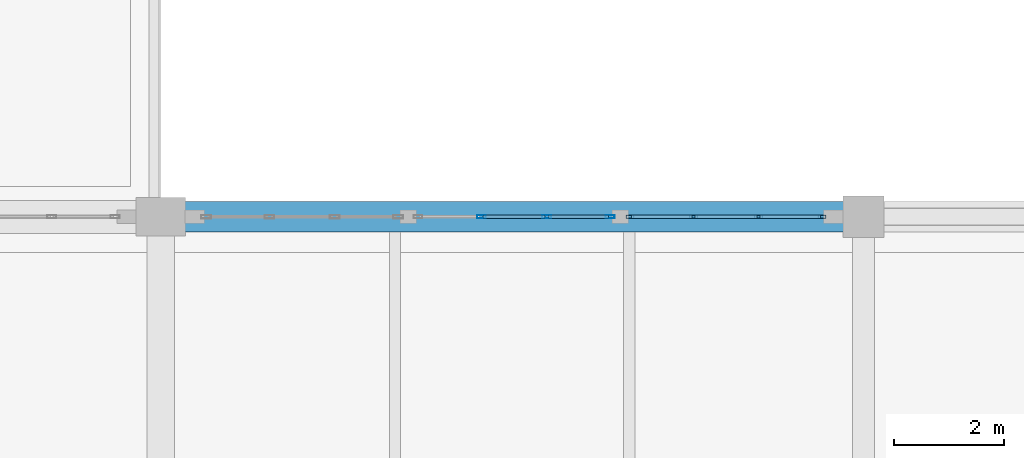
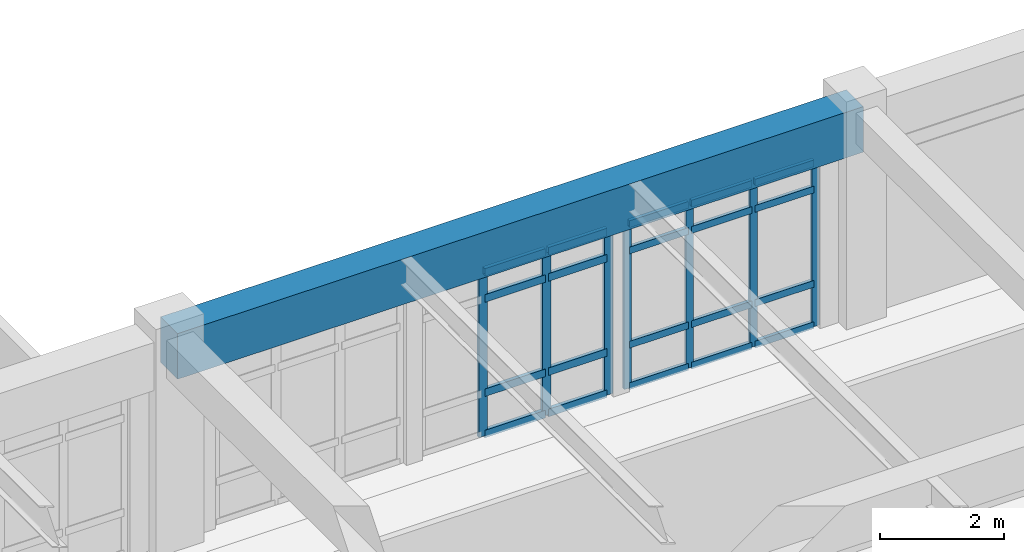
# One storey, part 62 of 109: 27 members, 1 beam, 2 elements without a shape of their own.
"""IFC4 building model written with IfcOpenShell, lengths in metres."""

from ifc_helpers import new_model, si_unit, direction, frame, origin, origin_2d, place, context, subcontext, project, spatial, rectangle, hollow_rectangle, extrude, material, layer, layer_set, material_profile, profile_set, type_object, element, aggregate, save


model = new_model("IFC4")

# Units and contexts
model_context = context("Model", 3, precision=1e-05, world=origin(), true_north=direction((0.0, 1.0)))
body_context = subcontext(model_context, "Body", "Model", "MODEL_VIEW")
ifc_project = project(units=[si_unit("LENGTHUNIT", "METRE"), si_unit("AREAUNIT", "SQUARE_METRE"), si_unit("VOLUMEUNIT", "CUBIC_METRE"), si_unit("PLANEANGLEUNIT", "RADIAN"), si_unit("MASSUNIT", "GRAM", prefix="KILO")], contexts=[model_context])

# Site, building, storey
site_placement = place(None, origin())
site = spatial("IfcSite", under=ifc_project, at=site_placement, CompositionType="ELEMENT")
building_placement = place(site_placement, origin())
building = spatial("IfcBuilding", under=site, at=building_placement, Name="Fikremerkos Civic Library", CompositionType="ELEMENT")
storey_placement = place(building_placement, frame((0.0, 0.0, 5.39990234375)))
storey = spatial("IfcBuildingStorey", under=building, at=storey_placement, Name="L01", CompositionType="ELEMENT", Elevation=5.39990234375)

# Curtain wall, members
ifc_material_1 = material(Name="Anodized aluminium Frame", Category="aluminium")
ifc_layer_1 = layer(ifc_material_1, 0.159912109375, Name="Anodized aluminium Frame")
ifc_layer_set_1 = layer_set([ifc_layer_1], Name="Anodized aluminium Frame")
curtain_wall_type_1 = type_object("IfcCurtainWallType", Name="Unitised curtain wall CW-02 3900x3600", PredefinedType="USERDEFINED", material=ifc_layer_set_1)
curtain_wall_1_placement = place(storey_placement, origin())
curtain_wall_1 = element("IfcCurtainWall", 1, at=curtain_wall_1_placement, inside=storey, type_object=curtain_wall_type_1, Name="Unitised curtain wall CW-02 L01 #110", ObjectType="UNITISED CURTAIN WALL", PredefinedType="USERDEFINED")
ifc_material_profile_1 = material_profile(ifc_material_1, hollow_rectangle(XDim=0.06005859375, YDim=0.159912109375, WallThickness=0.00390625, at=origin_2d()), Name="ALU 160x60x4")
ifc_profile_set_1 = profile_set([ifc_material_profile_1], Name="Anodized aluminium Frame")
member_type_1 = type_object("IfcMemberType", Name="Curtain mullion CWM-02 ALU 160x60x4", PredefinedType="MULLION", material=ifc_profile_set_1)
member_1_placement = place(storey_placement, frame((153.044189453125, 40.800048828125, 0.0), z_axis=(0.0, 0.0, 1.0), x_axis=(0.0, 1.0, 0.0)))
member_1 = element("IfcMember", 2, at=member_1_placement, type_object=member_type_1, Name="CW-02 mullion 2", PredefinedType="MULLION", context=body_context, shape_type="SweptSolid", body=[
    extrude(hollow_rectangle(XDim=0.06005859375, YDim=0.159912109375, WallThickness=0.00390625, at=origin_2d()), origin(), (0.0, 0.0, 1.0), 3.260009765625),
])
member_2_placement = place(storey_placement, frame((154.230712890625, 40.800048828125, 0.0), z_axis=(0.0, 0.0, 1.0), x_axis=(0.0, 1.0, 0.0)))
member_2 = element("IfcMember", 3, at=member_2_placement, type_object=member_type_1, Name="CW-02 mullion 3", PredefinedType="MULLION", context=body_context, shape_type="SweptSolid", body=[
    extrude(hollow_rectangle(XDim=0.06005859375, YDim=0.159912109375, WallThickness=0.00390625, at=origin_2d()), origin(), (0.0, 0.0, 1.0), 3.260009765625),
])
member_3_placement = place(storey_placement, frame((155.387451171875, 40.800048828125, 0.0), z_axis=(0.0, 0.0, 1.0), x_axis=(0.0, 1.0, 0.0)))
member_3 = element("IfcMember", 4, at=member_3_placement, type_object=member_type_1, Name="CW-02 mullion 4", PredefinedType="MULLION", context=body_context, shape_type="SweptSolid", body=[
    extrude(hollow_rectangle(XDim=0.06005859375, YDim=0.159912109375, WallThickness=0.00390625, at=origin_2d()), origin(), (0.0, 0.0, 1.0), 3.260009765625),
])

ifc_layer_2 = layer(ifc_material_1, 0.159912109375, Name="Anodized aluminium Frame")
ifc_layer_set_2 = layer_set([ifc_layer_2], Name="Anodized aluminium Frame")
curtain_wall_type_2 = type_object("IfcCurtainWallType", Name="Unitised curtain wall CW-03 4100x3600", PredefinedType="USERDEFINED", material=ifc_layer_set_2)
curtain_wall_2_placement = place(storey_placement, origin())
curtain_wall_2 = element("IfcCurtainWall", 5, at=curtain_wall_2_placement, inside=storey, type_object=curtain_wall_type_2, Name="Unitised curtain wall CW-03 L01 #111", ObjectType="UNITISED CURTAIN WALL", PredefinedType="USERDEFINED")
ifc_material_profile_2 = material_profile(ifc_material_1, hollow_rectangle(XDim=0.06005859375, YDim=0.139892578125, WallThickness=0.00390625, at=origin_2d()), Name="ALU 140x60x4")
ifc_profile_set_2 = profile_set([ifc_material_profile_2], Name="Anodized aluminium Frame")
member_type_2 = type_object("IfcMemberType", Name="Curtain mullion CWM-03 ALU 140x60x4", PredefinedType="MULLION", material=ifc_profile_set_2)
member_4_placement = place(storey_placement, frame((155.747314453125, 40.800048828125, 0.0), z_axis=(0.0, 0.0, 1.0), x_axis=(0.0, 1.0, 0.0)))
member_4 = element("IfcMember", 6, at=member_4_placement, type_object=member_type_2, Name="CW-03 mullion 1", PredefinedType="MULLION", context=body_context, shape_type="SweptSolid", body=[
    extrude(hollow_rectangle(XDim=0.06005859375, YDim=0.139892578125, WallThickness=0.00390625, at=origin_2d()), origin(), (0.0, 0.0, 1.0), 3.260009765625),
])
member_5_placement = place(storey_placement, frame((156.90380859375, 40.800048828125, 0.0), z_axis=(0.0, 0.0, 1.0), x_axis=(0.0, 1.0, 0.0)))
member_5 = element("IfcMember", 7, at=member_5_placement, type_object=member_type_2, Name="CW-03 mullion 2", PredefinedType="MULLION", context=body_context, shape_type="SweptSolid", body=[
    extrude(hollow_rectangle(XDim=0.06005859375, YDim=0.139892578125, WallThickness=0.00390625, at=origin_2d()), origin(), (0.0, 0.0, 1.0), 3.260009765625),
])
member_6_placement = place(storey_placement, frame((158.09033203125, 40.800048828125, 0.0), z_axis=(0.0, 0.0, 1.0), x_axis=(0.0, 1.0, 0.0)))
member_6 = element("IfcMember", 8, at=member_6_placement, type_object=member_type_2, Name="CW-03 mullion 3", PredefinedType="MULLION", context=body_context, shape_type="SweptSolid", body=[
    extrude(hollow_rectangle(XDim=0.06005859375, YDim=0.139892578125, WallThickness=0.00390625, at=origin_2d()), origin(), (0.0, 0.0, 1.0), 3.260009765625),
])
member_7_placement = place(storey_placement, frame((159.2470703125, 40.800048828125, 0.0), z_axis=(0.0, 0.0, 1.0), x_axis=(0.0, 1.0, 0.0)))
member_7 = element("IfcMember", 9, at=member_7_placement, type_object=member_type_2, Name="CW-03 mullion 4", PredefinedType="MULLION", context=body_context, shape_type="SweptSolid", body=[
    extrude(hollow_rectangle(XDim=0.06005859375, YDim=0.139892578125, WallThickness=0.00390625, at=origin_2d()), origin(), (0.0, 0.0, 1.0), 3.260009765625),
])

# Member
ifc_material_profile_3 = material_profile(ifc_material_1, hollow_rectangle(XDim=0.070068359375, YDim=0.14990234375, WallThickness=0.00439453125, at=origin_2d()), Name="ALU 150x70x4.5")
ifc_profile_set_3 = profile_set([ifc_material_profile_3], Name="Anodized aluminium Frame")
member_type_3 = type_object("IfcMemberType", Name="Curtain transom CWT-01 ALU 150x70x4.5", PredefinedType="USERDEFINED", material=ifc_profile_set_3)
member_8_placement = place(storey_placement, frame((153.07421875, 40.800048828125, 0.03515625), z_axis=(1.0, 0.0, 0.0), x_axis=(0.0, 1.0, 0.0)))
member_8 = element("IfcMember", 10, at=member_8_placement, type_object=member_type_3, Name="CW-02 transom 2.1", ObjectType="TRANSOM", PredefinedType="USERDEFINED", context=body_context, shape_type="SweptSolid", body=[
    extrude(hollow_rectangle(XDim=0.070068359375, YDim=0.14990234375, WallThickness=0.00439453125, at=origin_2d()), origin(), (0.0, 0.0, 1.0), 1.12646484375),
])

member_9_placement = place(storey_placement, frame((153.07421875, 40.800048828125, 0.85009765625), z_axis=(1.0, 0.0, 0.0), x_axis=(0.0, 1.0, 0.0)))
member_9 = element("IfcMember", 11, at=member_9_placement, type_object=member_type_3, Name="CW-02 transom 2.2", ObjectType="TRANSOM", PredefinedType="USERDEFINED", context=body_context, shape_type="SweptSolid", body=[
    extrude(hollow_rectangle(XDim=0.070068359375, YDim=0.14990234375, WallThickness=0.00439453125, at=origin_2d()), origin(), (0.0, 0.0, 1.0), 1.12646484375),
])

member_10_placement = place(storey_placement, frame((153.07421875, 40.800048828125, 2.710205078125), z_axis=(1.0, 0.0, 0.0), x_axis=(0.0, 1.0, 0.0)))
member_10 = element("IfcMember", 12, at=member_10_placement, type_object=member_type_3, Name="CW-02 transom 2.3", ObjectType="TRANSOM", PredefinedType="USERDEFINED", context=body_context, shape_type="SweptSolid", body=[
    extrude(hollow_rectangle(XDim=0.070068359375, YDim=0.14990234375, WallThickness=0.00439453125, at=origin_2d()), origin(), (0.0, 0.0, 1.0), 1.12646484375),
])

member_11_placement = place(storey_placement, frame((153.07421875, 40.800048828125, 3.22509765625), z_axis=(1.0, 0.0, 0.0), x_axis=(0.0, 1.0, 0.0)))
member_11 = element("IfcMember", 13, at=member_11_placement, type_object=member_type_3, Name="CW-02 transom 2.4", ObjectType="TRANSOM", PredefinedType="USERDEFINED", context=body_context, shape_type="SweptSolid", body=[
    extrude(hollow_rectangle(XDim=0.070068359375, YDim=0.14990234375, WallThickness=0.00439453125, at=origin_2d()), origin(), (0.0, 0.0, 1.0), 1.12646484375),
])

member_12_placement = place(storey_placement, frame((154.2607421875, 40.800048828125, 0.03515625), z_axis=(1.0, 0.0, 0.0), x_axis=(0.0, 1.0, 0.0)))
member_12 = element("IfcMember", 14, at=member_12_placement, type_object=member_type_3, Name="CW-02 transom 3.1", ObjectType="TRANSOM", PredefinedType="USERDEFINED", context=body_context, shape_type="SweptSolid", body=[
    extrude(hollow_rectangle(XDim=0.070068359375, YDim=0.14990234375, WallThickness=0.00439453125, at=origin_2d()), origin(), (0.0, 0.0, 1.0), 1.0966796875),
])

member_13_placement = place(storey_placement, frame((154.2607421875, 40.800048828125, 0.85009765625), z_axis=(1.0, 0.0, 0.0), x_axis=(0.0, 1.0, 0.0)))
member_13 = element("IfcMember", 15, at=member_13_placement, type_object=member_type_3, Name="CW-02 transom 3.2", ObjectType="TRANSOM", PredefinedType="USERDEFINED", context=body_context, shape_type="SweptSolid", body=[
    extrude(hollow_rectangle(XDim=0.070068359375, YDim=0.14990234375, WallThickness=0.00439453125, at=origin_2d()), origin(), (0.0, 0.0, 1.0), 1.0966796875),
])

member_14_placement = place(storey_placement, frame((154.2607421875, 40.800048828125, 2.710205078125), z_axis=(1.0, 0.0, 0.0), x_axis=(0.0, 1.0, 0.0)))
member_14 = element("IfcMember", 16, at=member_14_placement, type_object=member_type_3, Name="CW-02 transom 3.3", ObjectType="TRANSOM", PredefinedType="USERDEFINED", context=body_context, shape_type="SweptSolid", body=[
    extrude(hollow_rectangle(XDim=0.070068359375, YDim=0.14990234375, WallThickness=0.00439453125, at=origin_2d()), origin(), (0.0, 0.0, 1.0), 1.0966796875),
])

member_15_placement = place(storey_placement, frame((154.2607421875, 40.800048828125, 3.22509765625), z_axis=(1.0, 0.0, 0.0), x_axis=(0.0, 1.0, 0.0)))
member_15 = element("IfcMember", 17, at=member_15_placement, type_object=member_type_3, Name="CW-02 transom 3.4", ObjectType="TRANSOM", PredefinedType="USERDEFINED", context=body_context, shape_type="SweptSolid", body=[
    extrude(hollow_rectangle(XDim=0.070068359375, YDim=0.14990234375, WallThickness=0.00439453125, at=origin_2d()), origin(), (0.0, 0.0, 1.0), 1.0966796875),
])

aggregate(curtain_wall_1, [member_1, member_2, member_3, member_8, member_9, member_10, member_11, member_12, member_13, member_14, member_15])

ifc_material_profile_4 = material_profile(ifc_material_1, hollow_rectangle(XDim=0.06494140625, YDim=0.135009765625, WallThickness=0.00439453125, at=origin_2d()), Name="ALU 135x65x4.5")
ifc_profile_set_4 = profile_set([ifc_material_profile_4], Name="Anodized aluminium Frame")
member_type_4 = type_object("IfcMemberType", Name="Curtain transom CWT-02 ALU 135x65x4.5", PredefinedType="USERDEFINED", material=ifc_profile_set_4)
member_16_placement = place(storey_placement, frame((155.77734375, 40.800048828125, 0.03271484375), z_axis=(1.0, 0.0, 0.0), x_axis=(0.0, 1.0, 0.0)))
member_16 = element("IfcMember", 18, at=member_16_placement, type_object=member_type_4, Name="CW-03 transom 1.1", ObjectType="TRANSOM", PredefinedType="USERDEFINED", context=body_context, shape_type="SweptSolid", body=[
    extrude(hollow_rectangle(XDim=0.06494140625, YDim=0.135009765625, WallThickness=0.00439453125, at=origin_2d()), origin(), (0.0, 0.0, 1.0), 1.096435546875),
])

member_17_placement = place(storey_placement, frame((155.77734375, 40.800048828125, 0.85009765625), z_axis=(1.0, 0.0, 0.0), x_axis=(0.0, 1.0, 0.0)))
member_17 = element("IfcMember", 19, at=member_17_placement, type_object=member_type_4, Name="CW-03 transom 1.2", ObjectType="TRANSOM", PredefinedType="USERDEFINED", context=body_context, shape_type="SweptSolid", body=[
    extrude(hollow_rectangle(XDim=0.06494140625, YDim=0.135009765625, WallThickness=0.00439453125, at=origin_2d()), origin(), (0.0, 0.0, 1.0), 1.096435546875),
])

member_18_placement = place(storey_placement, frame((155.77734375, 40.800048828125, 2.710205078125), z_axis=(1.0, 0.0, 0.0), x_axis=(0.0, 1.0, 0.0)))
member_18 = element("IfcMember", 20, at=member_18_placement, type_object=member_type_4, Name="CW-03 transom 1.3", ObjectType="TRANSOM", PredefinedType="USERDEFINED", context=body_context, shape_type="SweptSolid", body=[
    extrude(hollow_rectangle(XDim=0.06494140625, YDim=0.135009765625, WallThickness=0.00439453125, at=origin_2d()), origin(), (0.0, 0.0, 1.0), 1.096435546875),
])

member_19_placement = place(storey_placement, frame((155.77734375, 40.800048828125, 3.2275390625), z_axis=(1.0, 0.0, 0.0), x_axis=(0.0, 1.0, 0.0)))
member_19 = element("IfcMember", 21, at=member_19_placement, type_object=member_type_4, Name="CW-03 transom 1.4", ObjectType="TRANSOM", PredefinedType="USERDEFINED", context=body_context, shape_type="SweptSolid", body=[
    extrude(hollow_rectangle(XDim=0.06494140625, YDim=0.135009765625, WallThickness=0.00439453125, at=origin_2d()), origin(), (0.0, 0.0, 1.0), 1.096435546875),
])

member_20_placement = place(storey_placement, frame((156.933837890625, 40.800048828125, 0.03271484375), z_axis=(1.0, 0.0, 0.0), x_axis=(0.0, 1.0, 0.0)))
member_20 = element("IfcMember", 22, at=member_20_placement, type_object=member_type_4, Name="CW-03 transom 2.1", ObjectType="TRANSOM", PredefinedType="USERDEFINED", context=body_context, shape_type="SweptSolid", body=[
    extrude(hollow_rectangle(XDim=0.06494140625, YDim=0.135009765625, WallThickness=0.00439453125, at=origin_2d()), origin(), (0.0, 0.0, 1.0), 1.126708984375),
])

member_21_placement = place(storey_placement, frame((156.933837890625, 40.800048828125, 0.85009765625), z_axis=(1.0, 0.0, 0.0), x_axis=(0.0, 1.0, 0.0)))
member_21 = element("IfcMember", 23, at=member_21_placement, type_object=member_type_4, Name="CW-03 transom 2.2", ObjectType="TRANSOM", PredefinedType="USERDEFINED", context=body_context, shape_type="SweptSolid", body=[
    extrude(hollow_rectangle(XDim=0.06494140625, YDim=0.135009765625, WallThickness=0.00439453125, at=origin_2d()), origin(), (0.0, 0.0, 1.0), 1.126708984375),
])

member_22_placement = place(storey_placement, frame((156.933837890625, 40.800048828125, 2.710205078125), z_axis=(1.0, 0.0, 0.0), x_axis=(0.0, 1.0, 0.0)))
member_22 = element("IfcMember", 24, at=member_22_placement, type_object=member_type_4, Name="CW-03 transom 2.3", ObjectType="TRANSOM", PredefinedType="USERDEFINED", context=body_context, shape_type="SweptSolid", body=[
    extrude(hollow_rectangle(XDim=0.06494140625, YDim=0.135009765625, WallThickness=0.00439453125, at=origin_2d()), origin(), (0.0, 0.0, 1.0), 1.126708984375),
])

member_23_placement = place(storey_placement, frame((156.933837890625, 40.800048828125, 3.2275390625), z_axis=(1.0, 0.0, 0.0), x_axis=(0.0, 1.0, 0.0)))
member_23 = element("IfcMember", 25, at=member_23_placement, type_object=member_type_4, Name="CW-03 transom 2.4", ObjectType="TRANSOM", PredefinedType="USERDEFINED", context=body_context, shape_type="SweptSolid", body=[
    extrude(hollow_rectangle(XDim=0.06494140625, YDim=0.135009765625, WallThickness=0.00439453125, at=origin_2d()), origin(), (0.0, 0.0, 1.0), 1.126708984375),
])

member_24_placement = place(storey_placement, frame((158.120361328125, 40.800048828125, 0.03271484375), z_axis=(1.0, 0.0, 0.0), x_axis=(0.0, 1.0, 0.0)))
member_24 = element("IfcMember", 26, at=member_24_placement, type_object=member_type_4, Name="CW-03 transom 3.1", ObjectType="TRANSOM", PredefinedType="USERDEFINED", context=body_context, shape_type="SweptSolid", body=[
    extrude(hollow_rectangle(XDim=0.06494140625, YDim=0.135009765625, WallThickness=0.00439453125, at=origin_2d()), origin(), (0.0, 0.0, 1.0), 1.0966796875),
])

member_25_placement = place(storey_placement, frame((158.120361328125, 40.800048828125, 0.85009765625), z_axis=(1.0, 0.0, 0.0), x_axis=(0.0, 1.0, 0.0)))
member_25 = element("IfcMember", 27, at=member_25_placement, type_object=member_type_4, Name="CW-03 transom 3.2", ObjectType="TRANSOM", PredefinedType="USERDEFINED", context=body_context, shape_type="SweptSolid", body=[
    extrude(hollow_rectangle(XDim=0.06494140625, YDim=0.135009765625, WallThickness=0.00439453125, at=origin_2d()), origin(), (0.0, 0.0, 1.0), 1.0966796875),
])

member_26_placement = place(storey_placement, frame((158.120361328125, 40.800048828125, 2.710205078125), z_axis=(1.0, 0.0, 0.0), x_axis=(0.0, 1.0, 0.0)))
member_26 = element("IfcMember", 28, at=member_26_placement, type_object=member_type_4, Name="CW-03 transom 3.3", ObjectType="TRANSOM", PredefinedType="USERDEFINED", context=body_context, shape_type="SweptSolid", body=[
    extrude(hollow_rectangle(XDim=0.06494140625, YDim=0.135009765625, WallThickness=0.00439453125, at=origin_2d()), origin(), (0.0, 0.0, 1.0), 1.0966796875),
])

member_27_placement = place(storey_placement, frame((158.120361328125, 40.800048828125, 3.2275390625), z_axis=(1.0, 0.0, 0.0), x_axis=(0.0, 1.0, 0.0)))
member_27 = element("IfcMember", 29, at=member_27_placement, type_object=member_type_4, Name="CW-03 transom 3.4", ObjectType="TRANSOM", PredefinedType="USERDEFINED", context=body_context, shape_type="SweptSolid", body=[
    extrude(hollow_rectangle(XDim=0.06494140625, YDim=0.135009765625, WallThickness=0.00439453125, at=origin_2d()), origin(), (0.0, 0.0, 1.0), 1.0966796875),
])

aggregate(curtain_wall_2, [member_4, member_5, member_6, member_7, member_16, member_17, member_18, member_19, member_20, member_21, member_22, member_23, member_24, member_25, member_26, member_27])

# Beam
ifc_material_2 = material(Name="Concrete C40/50", Category="concrete")
ifc_material_profile_5 = material_profile(ifc_material_2, rectangle(XDim=0.550048828125, YDim=0.89990234375, at=origin_2d()), Name="RC 550x900")
ifc_profile_set_5 = profile_set([ifc_material_profile_5], Name="Concrete C40/50")
beam_type = type_object("IfcBeamType", Name="Primary girder BM-02 RC 550x900", PredefinedType="BEAM", material=ifc_profile_set_5)
beam_placement = place(storey_placement, frame((147.199951171875, 40.800048828125, 3.77001953125), z_axis=(1.0, 0.0, 0.0), x_axis=(0.0, 1.0, 0.0)))
element("IfcBeam", 30, at=beam_placement, inside=storey, type_object=beam_type, Name="Primary girder BM-02 L01 grid H", PredefinedType="BEAM", context=body_context, shape_type="SweptSolid", body=[
    extrude(rectangle(XDim=0.550048828125, YDim=0.89990234375, at=origin_2d()), origin(), (0.0, 0.0, 1.0), 12.800048828125),
])

save(model, "model.ifc")
